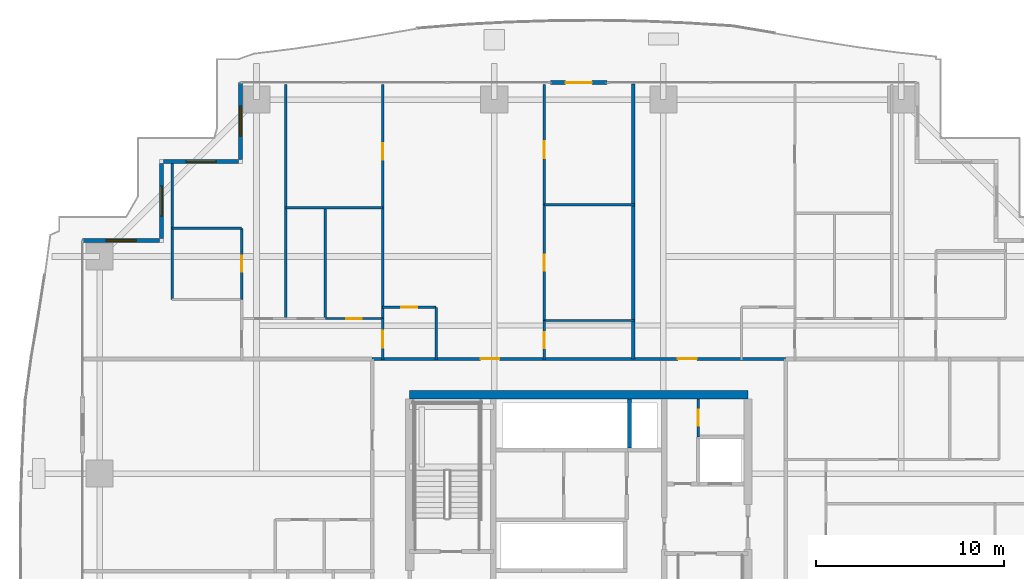
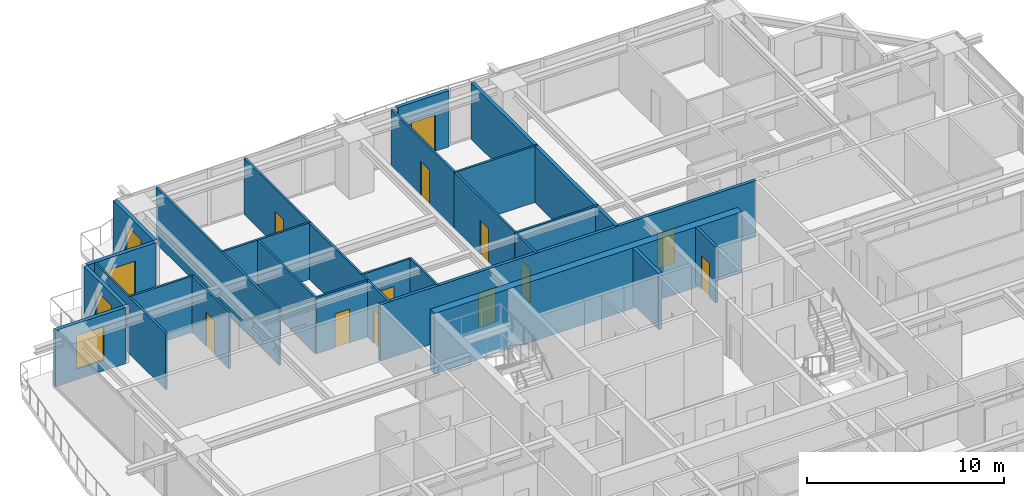
# One storey, part 27 of 35: 27 walls, 12 doors, 4 windows, 16 openings.
"""IFC4 building model written with IfcOpenShell, lengths in metres."""

from ifc_helpers import new_model, si_unit, direction, frame, frame_2d, origin, place, context, subcontext, project, spatial, rectangle, extrude, source, transform, mapped, material, layer, layer_set, type_object, element, fill, save


model = new_model("IFC4")

# Units and contexts
model_context = context("Model", 3, precision=1e-05, world=origin(), true_north=direction((0.0, 1.0)))
body_context = subcontext(model_context, "Body", "Model", "MODEL_VIEW")
ifc_project = project(units=[si_unit("LENGTHUNIT", "METRE"), si_unit("AREAUNIT", "SQUARE_METRE"), si_unit("VOLUMEUNIT", "CUBIC_METRE"), si_unit("PLANEANGLEUNIT", "RADIAN"), si_unit("MASSUNIT", "GRAM", prefix="KILO")], contexts=[model_context])

# Site, building, storey
site_placement = place(None, origin())
site = spatial("IfcSite", under=ifc_project, at=site_placement, CompositionType="ELEMENT")
building_placement = place(site_placement, origin())
building = spatial("IfcBuilding", under=site, at=building_placement, Name="Serunith Strait Residences", CompositionType="ELEMENT")
storey_placement = place(building_placement, frame((0.0, 0.0, 71.699951171875)))
storey = spatial("IfcBuildingStorey", under=building, at=storey_placement, Name="L17", CompositionType="ELEMENT", Elevation=71.699951171875)

# Wall, opening, door
ifc_material_1 = material(Name="Pale-Champagne Aluminium Insulated Panel", Category="aluminium")
ifc_layer_1 = layer(ifc_material_1, 0.219970703125, Name="Pale-Champagne Aluminium Insulated Panel")
ifc_layer_set_1 = layer_set([ifc_layer_1], Name="Pale-Champagne Aluminium Insulated Panel")
wall_type_1 = type_object("IfcWallType", Name="EW-ALUM-220", PredefinedType="ELEMENTEDWALL", material=ifc_layer_set_1)
wall_1_placement = place(storey_placement, frame((33.89990234375, 50.199951171875, 0.0), z_axis=(0.0, 0.0, 1.0), x_axis=(-1.0, 0.0, 0.0)))
wall_1 = element("IfcWall", 1, at=wall_1_placement, inside=storey, type_object=wall_type_1, Name="L17 N Facade Pier Wall", PredefinedType="ELEMENTEDWALL", context=body_context, shape_type="SweptSolid", body=[
    extrude(rectangle(XDim=3.0, YDim=0.219970703125, at=frame_2d((1.5, 0.0))), origin(), (0.0, 0.0, 1.0), 3.47509765625),
])
opening_1_placement = place(wall_1_placement, frame((0.800048828125, 0.0, 0.0)))
opening_1 = element("IfcOpeningElement", 2, at=opening_1_placement, cuts=wall_1, Name="Opening ED-04", PredefinedType="OPENING", context=body_context, shape_type="SweptSolid", body=[
    extrude(rectangle(XDim=1.39990234375, YDim=2.25, at=frame_2d((0.699951171875, 1.125))), frame((0.0, 0.1201171875, 0.0), z_axis=(0.0, -1.0, 0.0), x_axis=(1.0, 0.0, 0.0)), (0.0, 0.0, 1.0), 0.239990234375),
])
ifc_material_2 = material(Name="Thermally-Broken Aluminium Sliding Balcony Door", Category="aluminium")
door_type_1 = type_object("IfcDoorType", Name="ED-BALC-1400", OperationType="NOTDEFINED", PredefinedType="DOOR", material=ifc_material_2)
shared_shape_1 = source(origin(), body_context, "Body", "SweptSolid", [
    extrude(rectangle(XDim=1.39990234375, YDim=2.25, at=frame_2d((0.699951171875, 1.125))), frame((0.0, 0.02490234375, 0.0), z_axis=(0.0, -1.0, 0.0), x_axis=(1.0, 0.0, 0.0)), (0.0, 0.0, 1.0), 0.050048828125),
])
door_1_placement = place(opening_1_placement, origin())
door_1 = element("IfcDoor", 3, at=door_1_placement, inside=storey, type_object=door_type_1, Name="L17 N Vertical-Forest Balcony Door", OperationType="SLIDING_TO_LEFT", OverallHeight=2.25, OverallWidth=1.39990234375, PredefinedType="DOOR", context=body_context, shape_type="MappedRepresentation", body=[
    mapped(shared_shape_1, transform((0.0, 0.0, 0.0), scale=1.0)),
])
fill(opening_1, door_1)

# Wall, opening, window
wall_2_placement = place(storey_placement, frame((14.39990234375, 50.199951171875, 0.0), z_axis=(0.0, 0.0, 1.0), x_axis=(0.0, -1.0, 0.0)))
wall_2 = element("IfcWall", 4, at=wall_2_placement, inside=storey, type_object=wall_type_1, Name="L17 Girih Serrated Corner Wall 12", PredefinedType="ELEMENTEDWALL", context=body_context, shape_type="SweptSolid", body=[
    extrude(rectangle(XDim=4.08984375, YDim=0.219970703125, at=frame_2d((2.044921875, 0.0))), origin(), (0.0, 0.0, 1.0), 3.47509765625),
])
opening_2_placement = place(wall_2_placement, frame((1.2451171875, 0.0, 0.64990234375)))
opening_2 = element("IfcOpeningElement", 5, at=opening_2_placement, cuts=wall_2, Name="Opening W-02", PredefinedType="OPENING", context=body_context, shape_type="SweptSolid", body=[
    extrude(rectangle(XDim=1.60009765625, YDim=2.10009765625, at=frame_2d((0.800048828125, 1.050048828125))), frame((0.0, 0.1201171875, 0.0), z_axis=(0.0, -1.0, 0.0), x_axis=(1.0, 0.0, 0.0)), (0.0, 0.0, 1.0), 0.239990234375),
])
ifc_material_3 = material(Name="Ceramic-Fritted Operable Aluminium Window Glass", Category="aluminium")
window_type = type_object("IfcWindowType", Name="WIN-C2", PartitioningType="DOUBLE_PANEL_VERTICAL", PredefinedType="WINDOW", material=ifc_material_3)
shared_shape_2 = source(origin(), body_context, "Body", "SweptSolid", [
    extrude(rectangle(XDim=1.60009765625, YDim=2.10009765625, at=frame_2d((0.800048828125, 1.050048828125))), frame((0.0, 0.030029296875, 0.0), z_axis=(0.0, -1.0, 0.0), x_axis=(1.0, 0.0, 0.0)), (0.0, 0.0, 1.0), 0.06005859375),
])
window_1_placement = place(opening_2_placement, origin())
window_1 = element("IfcWindow", 6, at=window_1_placement, inside=storey, type_object=window_type, Name="L17 Corner Operable Fritted Window 12", OverallHeight=2.10009765625, OverallWidth=1.60009765625, PartitioningType="SINGLE_PANEL", PredefinedType="WINDOW", context=body_context, shape_type="MappedRepresentation", body=[
    mapped(shared_shape_2, transform((0.0, 0.0, 0.0), scale=1.0)),
])
fill(opening_2, window_1)

wall_3_placement = place(storey_placement, frame((14.2900390625, 46.0, 0.0), z_axis=(0.0, 0.0, 1.0), x_axis=(-1.0, 0.0, 0.0)))
wall_3 = element("IfcWall", 7, at=wall_3_placement, inside=storey, type_object=wall_type_1, Name="L17 Girih Serrated Corner Wall 13", PredefinedType="ELEMENTEDWALL", context=body_context, shape_type="SweptSolid", body=[
    extrude(rectangle(XDim=3.97998046875, YDim=0.219970703125, at=frame_2d((1.989990234375, 0.0))), origin(), (0.0, 0.0, 1.0), 3.47509765625),
])
opening_3_placement = place(wall_3_placement, frame((1.18994140625, 0.0, 0.64990234375)))
opening_3 = element("IfcOpeningElement", 8, at=opening_3_placement, cuts=wall_3, Name="Opening W-02", PredefinedType="OPENING", context=body_context, shape_type="SweptSolid", body=[
    extrude(rectangle(XDim=1.60009765625, YDim=2.10009765625, at=frame_2d((0.800048828125, 1.050048828125))), frame((0.0, 0.1201171875, 0.0), z_axis=(0.0, -1.0, 0.0), x_axis=(1.0, 0.0, 0.0)), (0.0, 0.0, 1.0), 0.239990234375),
])
window_2_placement = place(opening_3_placement, origin())
window_2 = element("IfcWindow", 9, at=window_2_placement, inside=storey, type_object=window_type, Name="L17 Corner Operable Fritted Window 13", OverallHeight=2.10009765625, OverallWidth=1.60009765625, PartitioningType="SINGLE_PANEL", PredefinedType="WINDOW", context=body_context, shape_type="MappedRepresentation", body=[
    mapped(shared_shape_2, transform((0.0, 0.0, 0.0), scale=1.0)),
])
fill(opening_3, window_2)

wall_4_placement = place(storey_placement, frame((10.199951171875, 45.889892578125, 0.0), z_axis=(0.0, 0.0, 1.0), x_axis=(0.0, -1.0, 0.0)))
wall_4 = element("IfcWall", 10, at=wall_4_placement, inside=storey, type_object=wall_type_1, Name="L17 Girih Serrated Corner Wall 14", PredefinedType="ELEMENTEDWALL", context=body_context, shape_type="SweptSolid", body=[
    extrude(rectangle(XDim=3.97998046875, YDim=0.219970703125, at=frame_2d((1.989990234375, 0.0))), origin(), (0.0, 0.0, 1.0), 3.47509765625),
])
opening_4_placement = place(wall_4_placement, frame((1.18994140625, 0.0, 0.64990234375)))
opening_4 = element("IfcOpeningElement", 11, at=opening_4_placement, cuts=wall_4, Name="Opening W-02", PredefinedType="OPENING", context=body_context, shape_type="SweptSolid", body=[
    extrude(rectangle(XDim=1.60009765625, YDim=2.10009765625, at=frame_2d((0.800048828125, 1.050048828125))), frame((0.0, 0.1201171875, 0.0), z_axis=(0.0, -1.0, 0.0), x_axis=(1.0, 0.0, 0.0)), (0.0, 0.0, 1.0), 0.239990234375),
])
window_3_placement = place(opening_4_placement, origin())
window_3 = element("IfcWindow", 12, at=window_3_placement, inside=storey, type_object=window_type, Name="L17 Corner Operable Fritted Window 14", OverallHeight=2.10009765625, OverallWidth=1.60009765625, PartitioningType="SINGLE_PANEL", PredefinedType="WINDOW", context=body_context, shape_type="MappedRepresentation", body=[
    mapped(shared_shape_2, transform((0.0, 0.0, 0.0), scale=1.0)),
])
fill(opening_4, window_3)

wall_5_placement = place(storey_placement, frame((10.090087890625, 41.800048828125, 0.0), z_axis=(0.0, 0.0, 1.0), x_axis=(-1.0, 0.0, 0.0)))
wall_5 = element("IfcWall", 13, at=wall_5_placement, inside=storey, type_object=wall_type_1, Name="L17 Girih Serrated Corner Wall 15", PredefinedType="ELEMENTEDWALL", context=body_context, shape_type="SweptSolid", body=[
    extrude(rectangle(XDim=4.090087890625, YDim=0.219970703125, at=frame_2d((2.044921875, 0.0))), origin(), (0.0, 0.0, 1.0), 3.47509765625),
])
opening_5_placement = place(wall_5_placement, frame((1.2451171875, 0.0, 0.64990234375)))
opening_5 = element("IfcOpeningElement", 14, at=opening_5_placement, cuts=wall_5, Name="Opening W-02", PredefinedType="OPENING", context=body_context, shape_type="SweptSolid", body=[
    extrude(rectangle(XDim=1.60009765625, YDim=2.10009765625, at=frame_2d((0.800048828125, 1.050048828125))), frame((0.0, 0.1201171875, 0.0), z_axis=(0.0, -1.0, 0.0), x_axis=(1.0, 0.0, 0.0)), (0.0, 0.0, 1.0), 0.239990234375),
])
window_4_placement = place(opening_5_placement, origin())
window_4 = element("IfcWindow", 15, at=window_4_placement, inside=storey, type_object=window_type, Name="L17 Corner Operable Fritted Window 15", OverallHeight=2.10009765625, OverallWidth=1.60009765625, PartitioningType="SINGLE_PANEL", PredefinedType="WINDOW", context=body_context, shape_type="MappedRepresentation", body=[
    mapped(shared_shape_2, transform((0.0, 0.0, 0.0), scale=1.0)),
])
fill(opening_5, window_4)

# Wall, opening, door
ifc_material_4 = material(Name="Fire-rated masonry service closet wall", Category="masonry")
ifc_layer_2 = layer(ifc_material_4, 0.14990234375, Name="Fire-rated masonry service closet wall")
ifc_layer_set_2 = layer_set([ifc_layer_2], Name="Fire-rated masonry service closet wall")
wall_type_2 = type_object("IfcWallType", Name="IW-BOH-150", PredefinedType="PARTITIONING", material=ifc_layer_set_2)
wall_6_placement = place(storey_placement, frame((38.75, 31.35205078125, 0.0), z_axis=(0.0, 0.0, 1.0), x_axis=(0.0, 1.0, 0.0)))
wall_6 = element("IfcWall", 16, at=wall_6_placement, inside=storey, type_object=wall_type_2, Name="L17 Partition Wall 012", PredefinedType="PARTITIONING", context=body_context, shape_type="SweptSolid", body=[
    extrude(rectangle(XDim=2.02294921875, YDim=0.14990234375, at=frame_2d((1.011474609375, 0.0))), origin(), (0.0, 0.0, 1.0), 3.489990234375),
])
opening_6_placement = place(wall_6_placement, frame((0.5859375, 0.0, 0.0)))
opening_6 = element("IfcOpeningElement", 17, at=opening_6_placement, cuts=wall_6, Name="Opening FD-850", PredefinedType="OPENING", context=body_context, shape_type="SweptSolid", body=[
    extrude(rectangle(XDim=0.85009765625, YDim=2.10009765625, at=frame_2d((0.425048828125, 1.050048828125))), frame((0.0, 0.0849609375, 0.0), z_axis=(0.0, -1.0, 0.0), x_axis=(1.0, 0.0, 0.0)), (0.0, 0.0, 1.0), 0.169921875),
])
ifc_material_5 = material(Name="Powder-coated steel service closet door", Category="steel")
door_type_2 = type_object("IfcDoorType", Name="FD-BOH-850", OperationType="NOTDEFINED", PredefinedType="DOOR", material=ifc_material_5)
shared_shape_3 = source(origin(), body_context, "Body", "SweptSolid", [
    extrude(rectangle(XDim=0.85009765625, YDim=2.10009765625, at=frame_2d((0.425048828125, 1.050048828125))), frame((0.0, 0.02490234375, 0.0), z_axis=(0.0, -1.0, 0.0), x_axis=(1.0, 0.0, 0.0)), (0.0, 0.0, 1.0), 0.050048828125),
])
door_2_placement = place(opening_6_placement, origin())
door_2 = element("IfcDoor", 18, at=door_2_placement, inside=storey, type_object=door_type_2, Name="L17 ELV Data Closet Door", OperationType="SINGLE_SWING_RIGHT", OverallHeight=2.10009765625, OverallWidth=0.85009765625, PredefinedType="DOOR", context=body_context, shape_type="MappedRepresentation", body=[
    mapped(shared_shape_3, transform((0.0, 0.0, 0.0), scale=1.0)),
])
fill(opening_6, door_2)

# Wall, openings, doors
ifc_material_6 = material(Name="Fire-rated acoustic gypsum partition")
ifc_layer_3 = layer(ifc_material_6, 0.179931640625, Name="Fire-rated acoustic gypsum partition")
ifc_layer_set_3 = layer_set([ifc_layer_3], Name="Fire-rated acoustic gypsum partition")
wall_type_3 = type_object("IfcWallType", Name="IW-CORR-180", PredefinedType="PARTITIONING", material=ifc_layer_set_3)
wall_7_placement = place(storey_placement, frame((21.402099609375, 35.5, 0.0), z_axis=(0.0, 0.0, 1.0), x_axis=(1.0, 0.0, 0.0)))
wall_7 = element("IfcWall", 19, at=wall_7_placement, inside=storey, type_object=wall_type_3, Name="L17 Partition Wall 024", PredefinedType="PARTITIONING", context=body_context, shape_type="SweptSolid", body=[
    extrude(rectangle(XDim=21.995849609375, YDim=0.179931640625, at=frame_2d((10.998046875, 0.0))), origin(), (0.0, 0.0, 1.0), 3.489990234375),
])
opening_7_placement = place(wall_7_placement, frame((5.77392578125, 0.0, 0.0)))
opening_7 = element("IfcOpeningElement", 20, at=opening_7_placement, cuts=wall_7, Name="Opening D-APT1000", PredefinedType="OPENING", context=body_context, shape_type="SweptSolid", body=[
    extrude(rectangle(XDim=1.0, YDim=2.14990234375, at=frame_2d((0.5, 1.074951171875))), frame((0.0, 0.10009765625, 0.0), z_axis=(0.0, -1.0, 0.0), x_axis=(1.0, 0.0, 0.0)), (0.0, 0.0, 1.0), 0.199951171875),
])
opening_8_placement = place(wall_7_placement, frame((16.27197265625, 0.0, 0.0)))
opening_8 = element("IfcOpeningElement", 21, at=opening_8_placement, cuts=wall_7, Name="Opening D-APT1000", PredefinedType="OPENING", context=body_context, shape_type="SweptSolid", body=[
    extrude(rectangle(XDim=1.0, YDim=2.14990234375, at=frame_2d((0.5, 1.074951171875))), frame((0.0, 0.10009765625, 0.0), z_axis=(0.0, -1.0, 0.0), x_axis=(1.0, 0.0, 0.0)), (0.0, 0.0, 1.0), 0.199951171875),
])
ifc_material_7 = material(Name="Solid timber engineered fire door", Category="wood")
door_type_3 = type_object("IfcDoorType", Name="ID-APT-1000", OperationType="NOTDEFINED", PredefinedType="DOOR", material=ifc_material_7)
shared_shape_4 = source(origin(), body_context, "Body", "SweptSolid", [
    extrude(rectangle(XDim=1.0, YDim=2.14990234375, at=frame_2d((0.5, 1.074951171875))), frame((0.0, 0.02490234375, 0.0), z_axis=(0.0, -1.0, 0.0), x_axis=(1.0, 0.0, 0.0)), (0.0, 0.0, 1.0), 0.050048828125),
])
door_3_placement = place(opening_7_placement, origin())
door_3 = element("IfcDoor", 22, at=door_3_placement, inside=storey, type_object=door_type_3, Name="L17 Unit 04 Entrance Door", OperationType="SINGLE_SWING_RIGHT", OverallHeight=2.14990234375, OverallWidth=1.0, PredefinedType="DOOR", context=body_context, shape_type="MappedRepresentation", body=[
    mapped(shared_shape_4, transform((0.0, 0.0, 0.0), scale=1.0)),
])
fill(opening_7, door_3)
door_4_placement = place(opening_8_placement, origin())
door_4 = element("IfcDoor", 23, at=door_4_placement, inside=storey, type_object=door_type_3, Name="L17 Unit 05 Entrance Door", OperationType="SINGLE_SWING_LEFT", OverallHeight=2.14990234375, OverallWidth=1.0, PredefinedType="DOOR", context=body_context, shape_type="MappedRepresentation", body=[
    mapped(shared_shape_4, transform((0.0, 0.0, 0.0), scale=1.0)),
])
fill(opening_8, door_4)

# Wall, opening, door
ifc_material_8 = material(Name="Lightweight steel-stud gypsum partition", Category="steel")
ifc_layer_4 = layer(ifc_material_8, 0.1201171875, Name="Lightweight steel-stud gypsum partition")
ifc_layer_set_4 = layer_set([ifc_layer_4], Name="Lightweight steel-stud gypsum partition")
wall_type_4 = type_object("IfcWallType", Name="IW-PART-120", PredefinedType="PARTITIONING", material=ifc_layer_set_4)
wall_8_placement = place(storey_placement, frame((21.9599609375, 38.25, 0.0), z_axis=(0.0, 0.0, 1.0), x_axis=(1.0, 0.0, 0.0)))
wall_8 = element("IfcWall", 24, at=wall_8_placement, inside=storey, type_object=wall_type_4, Name="L17 Partition Wall 064", PredefinedType="PARTITIONING", context=body_context, shape_type="SweptSolid", body=[
    extrude(rectangle(XDim=2.85009765625, YDim=0.1201171875, at=frame_2d((1.425048828125, 0.0))), origin(), (0.0, 0.0, 1.0), 3.489990234375),
])
opening_9_placement = place(wall_8_placement, frame((1.0, 0.0, 0.0)))
opening_9 = element("IfcOpeningElement", 25, at=opening_9_placement, cuts=wall_8, Name="Opening D-RM850", PredefinedType="OPENING", context=body_context, shape_type="SweptSolid", body=[
    extrude(rectangle(XDim=0.85009765625, YDim=2.10009765625, at=frame_2d((0.425048828125, 1.050048828125))), frame((0.0, 0.070068359375, 0.0), z_axis=(0.0, -1.0, 0.0), x_axis=(1.0, 0.0, 0.0)), (0.0, 0.0, 1.0), 0.14013671875),
])
ifc_material_9 = material(Name="Engineered timber flush study and kitchen door", Category="wood")
door_type_4 = type_object("IfcDoorType", Name="ID-ROOM-850", OperationType="NOTDEFINED", PredefinedType="DOOR", material=ifc_material_9)
door_5_placement = place(opening_9_placement, origin())
door_5 = element("IfcDoor", 26, at=door_5_placement, inside=storey, type_object=door_type_4, Name="L17 Kitchen 1704 Door", OperationType="SINGLE_SWING_LEFT", OverallHeight=2.10009765625, OverallWidth=0.85009765625, PredefinedType="DOOR", context=body_context, shape_type="MappedRepresentation", body=[
    mapped(shared_shape_3, transform((0.0, 0.0, 0.0), scale=1.0)),
])
fill(opening_9, door_5)

# Wall
wall_9_placement = place(storey_placement, frame((24.81005859375, 38.25, 0.0), z_axis=(0.0, 0.0, 1.0), x_axis=(0.0, -1.0, 0.0)))
element("IfcWall", 27, at=wall_9_placement, inside=storey, type_object=wall_type_4, Name="L17 Partition Wall 065", PredefinedType="PARTITIONING", context=body_context, shape_type="SweptSolid", body=[
    extrude(rectangle(XDim=2.81005859375, YDim=0.1201171875, at=frame_2d((1.405029296875, 0.0))), origin(), (0.0, 0.0, 1.0), 3.489990234375),
])

# Wall, opening, door
wall_10_placement = place(storey_placement, frame((21.9599609375, 37.64990234375, 0.0), z_axis=(0.0, 0.0, 1.0), x_axis=(0.0, -1.0, 0.0)))
wall_10 = element("IfcWall", 28, at=wall_10_placement, inside=storey, type_object=wall_type_4, Name="L17 Partition Wall 066", PredefinedType="PARTITIONING", context=body_context, shape_type="SweptSolid", body=[
    extrude(rectangle(XDim=2.2099609375, YDim=0.1201171875, at=frame_2d((1.10498046875, 0.0))), origin(), (0.0, 0.0, 1.0), 3.489990234375),
])
opening_10_placement = place(wall_10_placement, frame((0.655029296875, 0.0, 0.0)))
opening_10 = element("IfcOpeningElement", 29, at=opening_10_placement, cuts=wall_10, Name="Opening D-RM900", PredefinedType="OPENING", context=body_context, shape_type="SweptSolid", body=[
    extrude(rectangle(XDim=0.89990234375, YDim=2.10009765625, at=frame_2d((0.449951171875, 1.050048828125))), frame((0.0, 0.070068359375, 0.0), z_axis=(0.0, -1.0, 0.0), x_axis=(1.0, 0.0, 0.0)), (0.0, 0.0, 1.0), 0.14013671875),
])
ifc_material_10 = material(Name="Engineered timber flush bedroom door", Category="wood")
door_type_5 = type_object("IfcDoorType", Name="ID-ROOM-900", OperationType="NOTDEFINED", PredefinedType="DOOR", material=ifc_material_10)
shared_shape_5 = source(origin(), body_context, "Body", "SweptSolid", [
    extrude(rectangle(XDim=0.89990234375, YDim=2.10009765625, at=frame_2d((0.449951171875, 1.050048828125))), frame((0.0, 0.02490234375, 0.0), z_axis=(0.0, -1.0, 0.0), x_axis=(1.0, 0.0, 0.0)), (0.0, 0.0, 1.0), 0.050048828125),
])
door_6_placement = place(opening_10_placement, origin())
door_6 = element("IfcDoor", 30, at=door_6_placement, inside=storey, type_object=door_type_5, Name="L17 Hall W 1704 Door", OperationType="SINGLE_SWING_RIGHT", OverallHeight=2.10009765625, OverallWidth=0.89990234375, PredefinedType="DOOR", context=body_context, shape_type="MappedRepresentation", body=[
    mapped(shared_shape_5, transform((0.0, 0.0, 0.0), scale=1.0)),
])
fill(opening_10, door_6)

wall_11_placement = place(storey_placement, frame((21.9599609375, 50.10498046875, 0.0), z_axis=(0.0, 0.0, 1.0), x_axis=(0.0, -1.0, 0.0)))
wall_11 = element("IfcWall", 31, at=wall_11_placement, inside=storey, type_object=wall_type_4, Name="L17 Partition Wall 067", PredefinedType="PARTITIONING", context=body_context, shape_type="SweptSolid", body=[
    extrude(rectangle(XDim=6.56494140625, YDim=0.1201171875, at=frame_2d((3.282470703125, 0.0))), origin(), (0.0, 0.0, 1.0), 3.489990234375),
])
opening_11_placement = place(wall_11_placement, frame((3.115966796875, 0.0, 0.0)))
opening_11 = element("IfcOpeningElement", 32, at=opening_11_placement, cuts=wall_11, Name="Opening D-RM900", PredefinedType="OPENING", context=body_context, shape_type="SweptSolid", body=[
    extrude(rectangle(XDim=0.89990234375, YDim=2.10009765625, at=frame_2d((0.449951171875, 1.050048828125))), frame((0.0, 0.070068359375, 0.0), z_axis=(0.0, -1.0, 0.0), x_axis=(1.0, 0.0, 0.0)), (0.0, 0.0, 1.0), 0.14013671875),
])
door_7_placement = place(opening_11_placement, origin())
door_7 = element("IfcDoor", 33, at=door_7_placement, inside=storey, type_object=door_type_5, Name="L17 Formal Dining Room 1 1704 Door", OperationType="SINGLE_SWING_LEFT", OverallHeight=2.10009765625, OverallWidth=0.89990234375, PredefinedType="DOOR", context=body_context, shape_type="MappedRepresentation", body=[
    mapped(shared_shape_5, transform((0.0, 0.0, 0.0), scale=1.0)),
])
fill(opening_11, door_7)

# Walls
wall_12_placement = place(storey_placement, frame((21.9599609375, 43.5380859375, 0.0), z_axis=(0.0, 0.0, 1.0), x_axis=(0.0, -1.0, 0.0)))
element("IfcWall", 34, at=wall_12_placement, inside=storey, type_object=wall_type_4, Name="L17 Partition Wall 068", PredefinedType="PARTITIONING", context=body_context, shape_type="SweptSolid", body=[
    extrude(rectangle(XDim=5.885986328125, YDim=0.1201171875, at=frame_2d((2.94287109375, 0.0))), origin(), (0.0, 0.0, 1.0), 3.489990234375),
])
wall_13_placement = place(storey_placement, frame((16.81005859375, 43.5400390625, 0.0), z_axis=(0.0, 0.0, 1.0), x_axis=(1.0, 0.0, 0.0)))
element("IfcWall", 35, at=wall_13_placement, inside=storey, type_object=wall_type_4, Name="L17 Partition Wall 069", PredefinedType="PARTITIONING", context=body_context, shape_type="SweptSolid", body=[
    extrude(rectangle(XDim=5.14990234375, YDim=0.1201171875, at=frame_2d((2.574951171875, 0.0))), origin(), (0.0, 0.0, 1.0), 3.489990234375),
])
wall_14_placement = place(storey_placement, frame((16.81005859375, 50.10498046875, 0.0), z_axis=(0.0, 0.0, 1.0), x_axis=(0.0, -1.0, 0.0)))
element("IfcWall", 36, at=wall_14_placement, inside=storey, type_object=wall_type_4, Name="L17 Partition Wall 070", PredefinedType="PARTITIONING", context=body_context, shape_type="SweptSolid", body=[
    extrude(rectangle(XDim=12.455078125, YDim=0.1201171875, at=frame_2d((6.2275390625, 0.0))), origin(), (0.0, 0.0, 1.0), 3.489990234375),
])
wall_15_placement = place(storey_placement, frame((18.909912109375, 43.5400390625, 0.0), z_axis=(0.0, 0.0, 1.0), x_axis=(0.0, -1.0, 0.0)))
element("IfcWall", 37, at=wall_15_placement, inside=storey, type_object=wall_type_4, Name="L17 Partition Wall 071", PredefinedType="PARTITIONING", context=body_context, shape_type="SweptSolid", body=[
    extrude(rectangle(XDim=5.89013671875, YDim=0.1201171875, at=frame_2d((2.945068359375, 0.0))), origin(), (0.0, 0.0, 1.0), 3.489990234375),
])

# Wall, opening, door
wall_16_placement = place(storey_placement, frame((18.912109375, 37.64990234375, 0.0), z_axis=(0.0, 0.0, 1.0), x_axis=(1.0, 0.0, 0.0)))
wall_16 = element("IfcWall", 38, at=wall_16_placement, inside=storey, type_object=wall_type_4, Name="L17 Partition Wall 073", PredefinedType="PARTITIONING", context=body_context, shape_type="SweptSolid", body=[
    extrude(rectangle(XDim=3.0478515625, YDim=0.1201171875, at=frame_2d((1.52392578125, 0.0))), origin(), (0.0, 0.0, 1.0), 3.489990234375),
])
opening_12_placement = place(wall_16_placement, frame((1.09912109375, 0.0, 0.0)))
opening_12 = element("IfcOpeningElement", 39, at=opening_12_placement, cuts=wall_16, Name="Opening D-RM850", PredefinedType="OPENING", context=body_context, shape_type="SweptSolid", body=[
    extrude(rectangle(XDim=0.85009765625, YDim=2.10009765625, at=frame_2d((0.425048828125, 1.050048828125))), frame((0.0, 0.070068359375, 0.0), z_axis=(0.0, -1.0, 0.0), x_axis=(1.0, 0.0, 0.0)), (0.0, 0.0, 1.0), 0.14013671875),
])
door_8_placement = place(opening_12_placement, origin())
door_8 = element("IfcDoor", 40, at=door_8_placement, inside=storey, type_object=door_type_4, Name="L17 Formal Dining Room 1704 Door", OperationType="SINGLE_SWING_LEFT", OverallHeight=2.10009765625, OverallWidth=0.85009765625, PredefinedType="DOOR", context=body_context, shape_type="MappedRepresentation", body=[
    mapped(shared_shape_3, transform((0.0, 0.0, 0.0), scale=1.0)),
])
fill(opening_12, door_8)

# Walls
wall_17_placement = place(storey_placement, frame((10.760009765625, 42.451904296875, 0.0), z_axis=(0.0, 0.0, 1.0), x_axis=(1.0, 0.0, 0.0)))
element("IfcWall", 41, at=wall_17_placement, inside=storey, type_object=wall_type_4, Name="L17 Partition Wall 075", PredefinedType="PARTITIONING", context=body_context, shape_type="SweptSolid", body=[
    extrude(rectangle(XDim=3.699951171875, YDim=0.1201171875, at=frame_2d((1.85009765625, 0.0))), origin(), (0.0, 0.0, 1.0), 3.489990234375),
])
wall_18_placement = place(storey_placement, frame((10.760009765625, 45.905029296875, 0.0), z_axis=(0.0, 0.0, 1.0), x_axis=(0.0, -1.0, 0.0)))
element("IfcWall", 42, at=wall_18_placement, inside=storey, type_object=wall_type_4, Name="L17 Partition Wall 076", PredefinedType="PARTITIONING", context=body_context, shape_type="SweptSolid", body=[
    extrude(rectangle(XDim=7.237060546875, YDim=0.1201171875, at=frame_2d((3.61865234375, 0.0))), origin(), (0.0, 0.0, 1.0), 3.489990234375),
])

# Wall, opening, door
wall_19_placement = place(storey_placement, frame((14.4599609375, 42.451904296875, 0.0), z_axis=(0.0, 0.0, 1.0), x_axis=(0.0, -1.0, 0.0)))
wall_19 = element("IfcWall", 43, at=wall_19_placement, inside=storey, type_object=wall_type_4, Name="L17 Partition Wall 078", PredefinedType="PARTITIONING", context=body_context, shape_type="SweptSolid", body=[
    extrude(rectangle(XDim=3.783935546875, YDim=0.1201171875, at=frame_2d((1.89208984375, 0.0))), origin(), (0.0, 0.0, 1.0), 3.489990234375),
])
opening_13_placement = place(wall_19_placement, frame((1.467041015625, 0.0, 0.0)))
opening_13 = element("IfcOpeningElement", 44, at=opening_13_placement, cuts=wall_19, Name="Opening D-BTH850", PredefinedType="OPENING", context=body_context, shape_type="SweptSolid", body=[
    extrude(rectangle(XDim=0.85009765625, YDim=2.10009765625, at=frame_2d((0.425048828125, 1.050048828125))), frame((0.0, 0.070068359375, 0.0), z_axis=(0.0, -1.0, 0.0), x_axis=(1.0, 0.0, 0.0)), (0.0, 0.0, 1.0), 0.14013671875),
])
ifc_material_11 = material(Name="Moisture-resistant timber bathroom door", Category="wood")
door_type_6 = type_object("IfcDoorType", Name="ID-BATH-850", OperationType="NOTDEFINED", PredefinedType="DOOR", material=ifc_material_11)
door_9_placement = place(opening_13_placement, origin())
door_9 = element("IfcDoor", 45, at=door_9_placement, inside=storey, type_object=door_type_6, Name="L17 En-suite Bathroom W 1704 Door", OperationType="SINGLE_SWING_LEFT", OverallHeight=2.10009765625, OverallWidth=0.85009765625, PredefinedType="DOOR", context=body_context, shape_type="MappedRepresentation", body=[
    mapped(shared_shape_3, transform((0.0, 0.0, 0.0), scale=1.0)),
])
fill(opening_13, door_9)

wall_20_placement = place(storey_placement, frame((30.56005859375, 50.10498046875, 0.0), z_axis=(0.0, 0.0, 1.0), x_axis=(0.0, -1.0, 0.0)))
wall_20 = element("IfcWall", 46, at=wall_20_placement, inside=storey, type_object=wall_type_4, Name="L17 Partition Wall 081", PredefinedType="PARTITIONING", context=body_context, shape_type="SweptSolid", body=[
    extrude(rectangle(XDim=6.39697265625, YDim=0.1201171875, at=frame_2d((3.198486328125, 0.0))), origin(), (0.0, 0.0, 1.0), 3.489990234375),
])
opening_14_placement = place(wall_20_placement, frame((3.02294921875, 0.0, 0.0)))
opening_14 = element("IfcOpeningElement", 47, at=opening_14_placement, cuts=wall_20, Name="Opening D-RM900", PredefinedType="OPENING", context=body_context, shape_type="SweptSolid", body=[
    extrude(rectangle(XDim=0.89990234375, YDim=2.10009765625, at=frame_2d((0.449951171875, 1.050048828125))), frame((0.0, 0.070068359375, 0.0), z_axis=(0.0, -1.0, 0.0), x_axis=(1.0, 0.0, 0.0)), (0.0, 0.0, 1.0), 0.14013671875),
])
door_10_placement = place(opening_14_placement, origin())
door_10 = element("IfcDoor", 48, at=door_10_placement, inside=storey, type_object=door_type_5, Name="L17 Bedroom 3 1704 Door", OperationType="SINGLE_SWING_LEFT", OverallHeight=2.10009765625, OverallWidth=0.89990234375, PredefinedType="DOOR", context=body_context, shape_type="MappedRepresentation", body=[
    mapped(shared_shape_5, transform((0.0, 0.0, 0.0), scale=1.0)),
])
fill(opening_14, door_10)

# Walls
for number, where, z_axis, x_axis, name in (
    (49, (30.56005859375, 43.7080078125, 0.0), (0.0, 0.0, 1.0), (1.0, 0.0, 0.0), "L17 Partition Wall 082"),
    (50, (30.56005859375, 37.550048828125, 0.0), (0.0, 0.0, 1.0), (1.0, 0.0, 0.0), "L17 Partition Wall 083"),
):
    element("IfcWall", number, at=place(storey_placement, frame(where, z_axis=z_axis, x_axis=x_axis)), inside=storey, type_object=wall_type_4, Name=name, PredefinedType="PARTITIONING", context=body_context, shape_type="SweptSolid", body=[
        extrude(rectangle(XDim=4.800048828125, YDim=0.1201171875, at=frame_2d((2.39990234375, 0.0))), origin(), (0.0, 0.0, 1.0), 3.489990234375),
    ])

# Wall, opening, door
wall_21_placement = place(storey_placement, frame((30.56005859375, 43.7060546875, 0.0), z_axis=(0.0, 0.0, 1.0), x_axis=(0.0, -1.0, 0.0)))
wall_21 = element("IfcWall", 51, at=wall_21_placement, inside=storey, type_object=wall_type_4, Name="L17 Partition Wall 084", PredefinedType="PARTITIONING", context=body_context, shape_type="SweptSolid", body=[
    extrude(rectangle(XDim=6.156005859375, YDim=0.1201171875, at=frame_2d((3.078125, 0.0))), origin(), (0.0, 0.0, 1.0), 3.489990234375),
])
opening_15_placement = place(wall_21_placement, frame((2.653076171875, 0.0, 0.0)))
opening_15 = element("IfcOpeningElement", 52, at=opening_15_placement, cuts=wall_21, Name="Opening D-RM850", PredefinedType="OPENING", context=body_context, shape_type="SweptSolid", body=[
    extrude(rectangle(XDim=0.85009765625, YDim=2.10009765625, at=frame_2d((0.425048828125, 1.050048828125))), frame((0.0, 0.070068359375, 0.0), z_axis=(0.0, -1.0, 0.0), x_axis=(1.0, 0.0, 0.0)), (0.0, 0.0, 1.0), 0.14013671875),
])
door_11_placement = place(opening_15_placement, origin())
door_11 = element("IfcDoor", 53, at=door_11_placement, inside=storey, type_object=door_type_4, Name="L17 Walk-in Wardrobe 1704 Door", OperationType="SINGLE_SWING_RIGHT", OverallHeight=2.10009765625, OverallWidth=0.85009765625, PredefinedType="DOOR", context=body_context, shape_type="MappedRepresentation", body=[
    mapped(shared_shape_3, transform((0.0, 0.0, 0.0), scale=1.0)),
])
fill(opening_15, door_11)

wall_22_placement = place(storey_placement, frame((30.56005859375, 37.548095703125, 0.0), z_axis=(0.0, 0.0, 1.0), x_axis=(0.0, -1.0, 0.0)))
wall_22 = element("IfcWall", 54, at=wall_22_placement, inside=storey, type_object=wall_type_4, Name="L17 Partition Wall 085", PredefinedType="PARTITIONING", context=body_context, shape_type="SweptSolid", body=[
    extrude(rectangle(XDim=2.108154296875, YDim=0.1201171875, at=frame_2d((1.05419921875, 0.0))), origin(), (0.0, 0.0, 1.0), 3.489990234375),
])
opening_16_placement = place(wall_22_placement, frame((0.62890625, 0.0, 0.0)))
opening_16 = element("IfcOpeningElement", 55, at=opening_16_placement, cuts=wall_22, Name="Opening D-BTH850", PredefinedType="OPENING", context=body_context, shape_type="SweptSolid", body=[
    extrude(rectangle(XDim=0.85009765625, YDim=2.10009765625, at=frame_2d((0.425048828125, 1.050048828125))), frame((0.0, 0.070068359375, 0.0), z_axis=(0.0, -1.0, 0.0), x_axis=(1.0, 0.0, 0.0)), (0.0, 0.0, 1.0), 0.14013671875),
])
door_12_placement = place(opening_16_placement, origin())
door_12 = element("IfcDoor", 56, at=door_12_placement, inside=storey, type_object=door_type_6, Name="L17 Bathroom 1704 Door", OperationType="SINGLE_SWING_LEFT", OverallHeight=2.10009765625, OverallWidth=0.85009765625, PredefinedType="DOOR", context=body_context, shape_type="MappedRepresentation", body=[
    mapped(shared_shape_3, transform((0.0, 0.0, 0.0), scale=1.0)),
])
fill(opening_16, door_12)

# Walls
ifc_material_12 = material(Name="Twin-stud acoustic gypsum board partition")
ifc_layer_5 = layer(ifc_material_12, 0.199951171875, Name="Twin-stud acoustic gypsum board partition")
ifc_layer_set_5 = layer_set([ifc_layer_5], Name="Twin-stud acoustic gypsum board partition")
wall_type_5 = type_object("IfcWallType", Name="IW-PARTY-200", PredefinedType="PARTITIONING", material=ifc_layer_set_5)
wall_23_placement = place(storey_placement, frame((35.300048828125, 35.5, 0.0), z_axis=(0.0, 0.0, 1.0), x_axis=(0.0, 1.0, 0.0)))
element("IfcWall", 57, at=wall_23_placement, inside=storey, type_object=wall_type_5, Name="L17 Partition Wall 017", PredefinedType="PARTITIONING", context=body_context, shape_type="SweptSolid", body=[
    extrude(rectangle(XDim=14.617919921875, YDim=0.199951171875, at=frame_2d((7.30908203125, 0.0))), origin(), (0.0, 0.0, 1.0), 3.489990234375),
])
ifc_material_13 = material(Name="Autoclaved aerated concrete blockwork", Category="masonry")
ifc_layer_6 = layer(ifc_material_13, 0.199951171875, Name="Autoclaved aerated concrete blockwork")
ifc_layer_set_6 = layer_set([ifc_layer_6], Name="Autoclaved aerated concrete blockwork")
wall_type_6 = type_object("IfcWallType", Name="IW-SHAFT-200", PredefinedType="STANDARD", material=ifc_layer_set_6)
wall_24_placement = place(storey_placement, frame((35.10009765625, 30.75, 0.0), z_axis=(0.0, 0.0, 1.0), x_axis=(0.0, 1.0, 0.0)))
element("IfcWall", 58, at=wall_24_placement, inside=storey, type_object=wall_type_6, Name="L17 SL-1 West Shaft Wall", PredefinedType="STANDARD", context=body_context, shape_type="SweptSolid", body=[
    extrude(rectangle(XDim=2.625, YDim=0.199951171875, at=frame_2d((1.3125, 0.0))), origin(), (0.0, 0.0, 1.0), 3.489990234375),
])
ifc_material_14 = material(Name="Concrete C80/95", Category="concrete")
ifc_layer_7 = layer(ifc_material_14, 0.449951171875, Name="Concrete C80/95")
ifc_layer_set_7 = layer_set([ifc_layer_7], Name="Concrete C80/95")
wall_type_7 = type_object("IfcWallType", Name="SW-450-C80", PredefinedType="SHEAR", material=ifc_layer_set_7)
wall_25_placement = place(storey_placement, frame((41.39990234375, 33.60009765625, -0.260009765625), z_axis=(0.0, 0.0, 1.0), x_axis=(-1.0, 0.0, 0.0)))
element("IfcWall", 59, at=wall_25_placement, inside=storey, type_object=wall_type_7, Name="L17 Core North Shear Wall", PredefinedType="SHEAR", context=body_context, shape_type="SweptSolid", body=[
    extrude(rectangle(XDim=18.0, YDim=0.449951171875, at=frame_2d((9.0, 0.0))), origin(), (0.0, 0.0, 1.0), 3.748046875),
])

save(model, "model.ifc")
